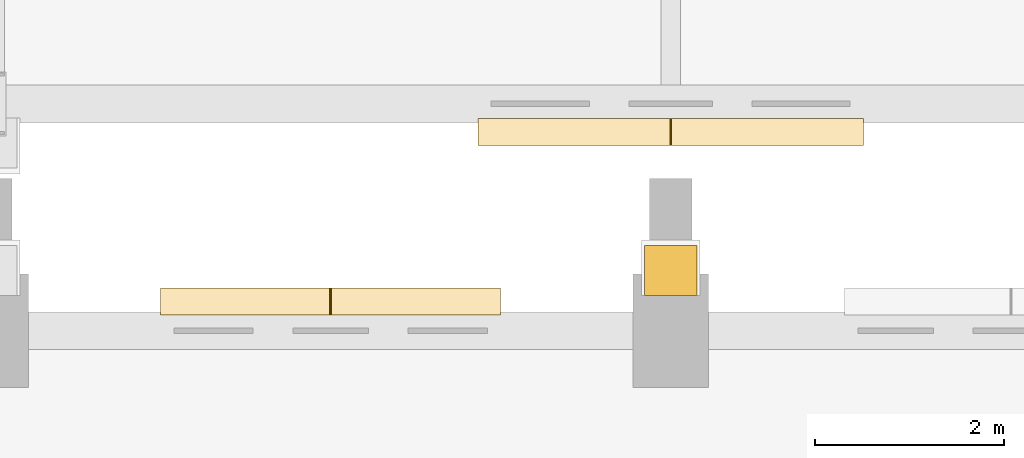
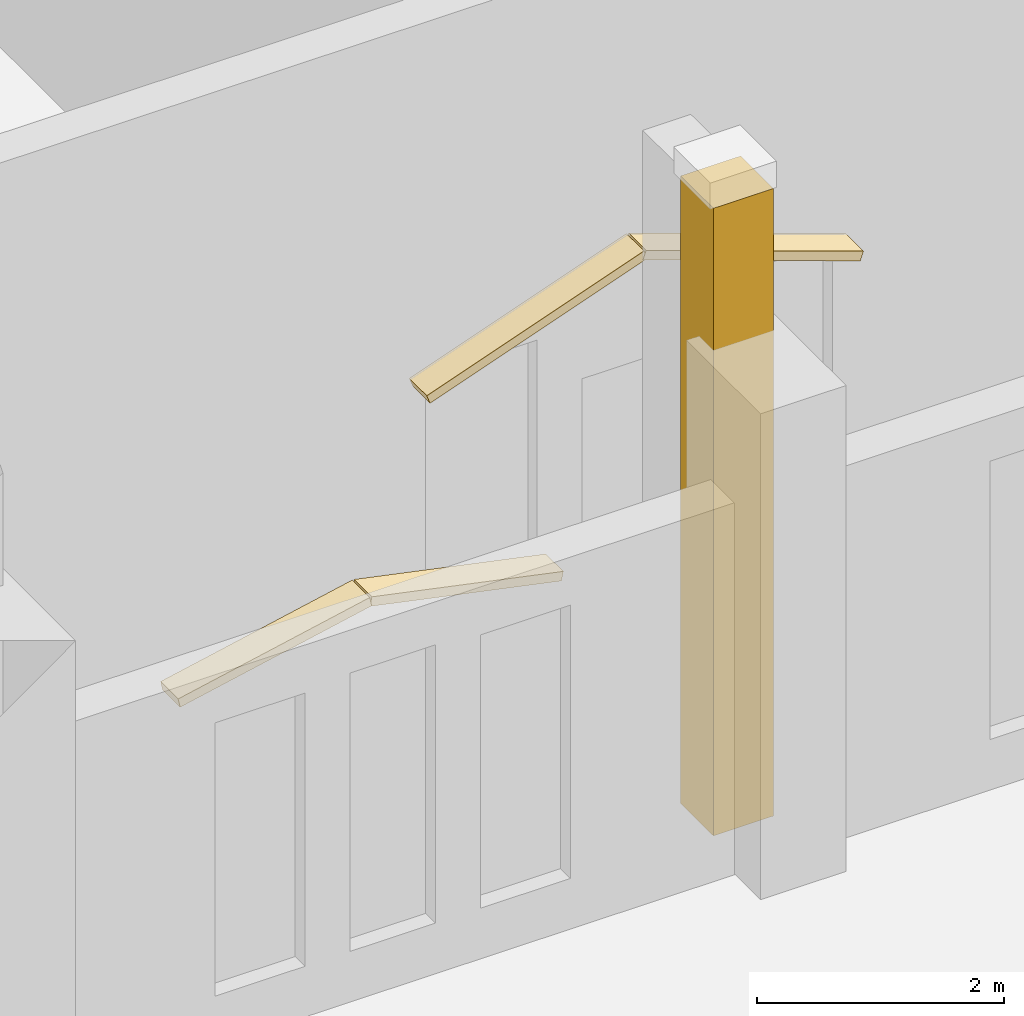
# One storey, part 188 of 193: 5 coverings.
"""IFC4 building model written with IfcOpenShell, lengths in metres."""

import ifcopenshell
import ifcopenshell.guid

model = None  # the IFC model being written
_history = None  # IfcOwnerHistory: only IFC2X3 demands one
_inside = {}  # id of a spatial element -> (the spatial element, [elements in it])
_under = {}  # id of a project, library or spatial element -> (it, [spatial elements below it])
_declared = {}  # id of a project -> (the project, [libraries it declares])
_typed = {}  # id of a type object -> (the type object, [elements of that type])
_made_of = {}  # id of a material, layer set ... -> (it, [elements and type objects made of it])


def new_model(schema):
    """Start an empty IFC model of exactly this schema.

    Asked for "IFC4X3", IfcOpenShell would pick the latest addendum, in which some entities
    have other attributes; the version numbers below select the first issue.
    IFC2X3 requires an IfcOwnerHistory on every rooted entity: one is made here for all.
    """
    global model, _history
    if schema == "IFC4X3":
        model = ifcopenshell.file(schema_version=(4, 3, 0, 0))
    else:
        model = ifcopenshell.file(schema=schema)
    _inside.clear()
    _under.clear()
    _declared.clear()
    _typed.clear()
    _made_of.clear()
    _history = None
    if model.schema == "IFC2X3":
        org = make("IfcOrganization", Name="unknown")
        user = make(
            "IfcPersonAndOrganization",
            ThePerson=make("IfcPerson", FamilyName="unknown"),
            TheOrganization=org,
        )
        app = make(
            "IfcApplication",
            ApplicationDeveloper=org,
            Version="unknown",
            ApplicationFullName="unknown",
            ApplicationIdentifier="unknown",
        )
        _history = make(
            "IfcOwnerHistory",
            OwningUser=user,
            OwningApplication=app,
            ChangeAction="ADDED",
            CreationDate=0,
        )
    return model


def make(cls, **values):
    """One entity of the class cls with the attributes given. An attribute that is None is left unset."""
    return model.create_entity(
        cls, **{name: value for name, value in values.items() if value is not None}
    )


def rooted(cls, **values):
    """An entity with a GlobalId (a new one), such as an element, a storey or a relation."""
    return make(cls, GlobalId=ifcopenshell.guid.new(), OwnerHistory=_history, **values)


def si_unit(unit_type, name, prefix=None):
    """IfcSIUnit, for example si_unit("LENGTHUNIT", "METRE", prefix="MILLI")."""
    return make("IfcSIUnit", UnitType=unit_type, Prefix=prefix, Name=name)


def assignment(units):
    """IfcUnitAssignment: the units of a project."""
    return None if units is None else make("IfcUnitAssignment", Units=units)


def point(xyz):
    """IfcCartesianPoint."""
    return None if xyz is None else make("IfcCartesianPoint", Coordinates=xyz)


def direction(xyz):
    """IfcDirection."""
    return None if xyz is None else make("IfcDirection", DirectionRatios=xyz)


def frame(location, z_axis=None, x_axis=None):
    """IfcAxis2Placement3D, a coordinate frame: its origin and axes. An axis left out is left unset."""
    return make(
        "IfcAxis2Placement3D",
        Location=point(location),
        Axis=direction(z_axis),
        RefDirection=direction(x_axis),
    )


def origin():
    """The frame at (0, 0, 0) with its axes left unset."""
    return frame((0.0, 0.0, 0.0))


def place(relative_to, where):
    """IfcLocalPlacement: puts the frame where relative to a parent placement (None: the world)."""
    return make(
        "IfcLocalPlacement", PlacementRelTo=relative_to, RelativePlacement=where
    )


def context(
    kind, dimensions, precision=None, world=None, true_north=None, identifier=None
):
    """IfcGeometricRepresentationContext, for example the 3D "Model" context."""
    return make(
        "IfcGeometricRepresentationContext",
        ContextIdentifier=identifier,
        ContextType=kind,
        CoordinateSpaceDimension=dimensions,
        Precision=precision,
        WorldCoordinateSystem=world,
        TrueNorth=true_north,
    )


def subcontext(parent, identifier, kind, view, scale=None):
    """IfcGeometricRepresentationSubContext, for example "Body" below "Model"."""
    return make(
        "IfcGeometricRepresentationSubContext",
        ContextIdentifier=identifier,
        ContextType=kind,
        ParentContext=parent,
        TargetScale=scale,
        TargetView=view,
    )


def project(units=None, contexts=None):
    """IfcProject with its units and contexts."""
    return rooted(
        "IfcProject",
        Name="project",
        RepresentationContexts=contexts,
        UnitsInContext=assignment(units),
    )


def spatial(cls, under=None, at=None, **own):
    """A site, building, storey or space (cls), placed at a placement, below another one or the project."""
    s = rooted(cls, ObjectPlacement=at, **own)
    if under is not None:
        _under.setdefault(under.id(), (under, []))[1].append(s)
    return s


def polyline(points):
    """IfcPolyline through the points."""
    return make("IfcPolyline", Points=[point(p) for p in points])


def outline(outer, holes=None, kind="AREA"):
    """IfcArbitraryClosedProfileDef: a profile drawn as a closed curve; with holes, ...WithVoids."""
    if holes is None:
        return make("IfcArbitraryClosedProfileDef", ProfileType=kind, OuterCurve=outer)
    return make(
        "IfcArbitraryProfileDefWithVoids",
        ProfileType=kind,
        OuterCurve=outer,
        InnerCurves=holes,
    )


def extrude(swept, where, along, depth):
    """IfcExtrudedAreaSolid: the profile swept, set in the frame where, extruded along a direction by depth."""
    return make(
        "IfcExtrudedAreaSolid",
        SweptArea=swept,
        Position=where,
        ExtrudedDirection=direction(along),
        Depth=depth,
    )


def shape(context_of_items, identifier, shape_type, items):
    """IfcShapeRepresentation: the items that make up one representation, for example the "Body"."""
    return make(
        "IfcShapeRepresentation",
        ContextOfItems=context_of_items,
        RepresentationIdentifier=identifier,
        RepresentationType=shape_type,
        Items=items,
    )


def material(Name=None, Category=None):
    """IfcMaterial."""
    return make("IfcMaterial", Name=Name, Category=Category)


def layer(
    of_material, thickness, ventilated=None, Name=None, Category=None, Priority=None
):
    """IfcMaterialLayer: one layer of a wall or slab, of a material (None: an air gap)."""
    return make(
        "IfcMaterialLayer",
        Material=of_material,
        LayerThickness=thickness,
        IsVentilated=ventilated,
        Name=Name,
        Category=Category,
        Priority=Priority,
    )


def layer_set(layers, Name=None):
    """IfcMaterialLayerSet."""
    return make("IfcMaterialLayerSet", MaterialLayers=layers, LayerSetName=Name)


def made_of(thing, what):
    """Note that an element or type object is made of a material, layer set ...; save() writes the relation."""
    if what is not None:
        _made_of.setdefault(what.id(), (what, []))[1].append(thing)
    return thing


def type_object(cls, material=None, **own):
    """A type object (cls), such as IfcWallType, which elements share."""
    return made_of(rooted(cls, **own), material)


def element(
    cls,
    number,
    at=None,
    inside=None,
    cuts=None,
    type_object=None,
    material=None,
    context=None,
    identifier="Body",
    shape_type=None,
    held_by="IfcProductDefinitionShape",
    body=None,
    shapes=None,
    **own,
):
    """One element of the class cls, such as IfcWall. Its Tag is "e" and its number.

    at: its placement. inside: the storey or other place that contains it. cuts: it is an
    opening in that element (IfcRelVoidsElement). A single representation is given by context,
    identifier, shape_type and body (its items); several are given by shapes. held_by: the class
    of the entity that holds the representations. save() writes the other relations.
    """
    e = rooted(cls, Tag="e%d" % number, ObjectPlacement=at, **own)
    if body is not None:
        shapes = [shape(context, identifier, shape_type, body)]
    if shapes is not None:
        e.Representation = make(held_by, Representations=shapes)
    if inside is not None:
        _inside.setdefault(inside.id(), (inside, []))[1].append(e)
    if cuts is not None:
        rooted(
            "IfcRelVoidsElement", RelatingBuildingElement=cuts, RelatedOpeningElement=e
        )
    if type_object is not None:
        _typed.setdefault(type_object.id(), (type_object, []))[1].append(e)
    return made_of(e, material)


def aggregate(whole, parts):
    """IfcRelAggregates: a whole, such as a stair, and the parts it consists of."""
    return rooted("IfcRelAggregates", RelatingObject=whole, RelatedObjects=parts)


def save(model, path):
    """Write the relations noted so far, then the file.

    IfcRelAggregates (storeys below a building ...), IfcRelContainedInSpatialStructure (elements
    in a storey), IfcRelDefinesByType, IfcRelAssociatesMaterial and IfcRelDeclares: one each for
    every whole, place, type object, material and project.
    """
    for whole, parts in _under.values():
        aggregate(whole, parts)
    for where, things in _inside.values():
        rooted(
            "IfcRelContainedInSpatialStructure",
            RelatedElements=things,
            RelatingStructure=where,
        )
    for kind, things in _typed.values():
        rooted("IfcRelDefinesByType", RelatedObjects=things, RelatingType=kind)
    for what, things in _made_of.values():
        rooted("IfcRelAssociatesMaterial", RelatedObjects=things, RelatingMaterial=what)
    for by, libraries in _declared.values():
        rooted("IfcRelDeclares", RelatingContext=by, RelatedDefinitions=libraries)
    model.write(path)


model = new_model("IFC4")

# Units and contexts
model_context = context("Model", 3, precision=1e-05, world=origin(), true_north=direction((0.0, 1.0)))
body_context = subcontext(model_context, "Body", "Model", "MODEL_VIEW")
ifc_project = project(units=[si_unit("LENGTHUNIT", "METRE"), si_unit("AREAUNIT", "SQUARE_METRE"), si_unit("VOLUMEUNIT", "CUBIC_METRE"), si_unit("PLANEANGLEUNIT", "RADIAN"), si_unit("MASSUNIT", "GRAM", prefix="KILO")], contexts=[model_context])

# Site, building, storey
site_placement = place(None, origin())
site = spatial("IfcSite", under=ifc_project, at=site_placement, CompositionType="ELEMENT")
building_placement = place(site_placement, origin())
building = spatial("IfcBuilding", under=site, at=building_placement, Name="Cendralis Lancet Convention Centre", CompositionType="ELEMENT")
storey_placement = place(building_placement, frame((0.0, 0.0, 10.199951171875)))
storey = spatial("IfcBuildingStorey", under=building, at=storey_placement, Name="L02", CompositionType="ELEMENT", Elevation=10.199951171875)

# Coverings
ifc_material = material(Name="Warm buff sandstone chevron cassette", Category="masonry")
ifc_layer = layer(ifc_material, 0.06005859375, Name="Warm buff sandstone chevron cassette")
ifc_layer_set = layer_set([ifc_layer], Name="Warm buff sandstone chevron cassette")
covering_type = type_object("IfcCoveringType", Name="ARC-CV-CLAD1", PredefinedType="CLADDING", material=ifc_layer_set)
for number, where, z_axis, x_axis, name in (
    (1, (184.199951171875, 91.64990234375, 3.27001953125), (-0.205041599325, 0.0, 0.978753259277), (0.0, -1.0, 0.0), "L02 Gothic Pointed Lancet Hood-Mould #0159L"),
    (2, (186.010009765625, 91.64990234375, 3.64501953125), (0.205041599325, 0.0, 0.978753259277), (0.0, -1.0, 0.0), "L02 Gothic Pointed Lancet Hood-Mould #0160R"),
):
    element("IfcCovering", number, at=place(storey_placement, frame(where, z_axis=z_axis, x_axis=x_axis)), inside=storey, type_object=covering_type, Name=name, PredefinedType="CLADDING", context=body_context, shape_type="SweptSolid", body=[
        extrude(outline(polyline([(0.0, 0.0), (0.284912109375, 0.0), (0.284912109375, 1.8288971664027145), (0.0, 1.8288971664027145), (0.0, 0.0)])), origin(), (0.0, 0.0, -1.0), 0.090087890625),
    ])
covering_1_placement = place(storey_placement, origin())
element("IfcCovering", 3, at=covering_1_placement, inside=storey, type_object=covering_type, Name="Gothic Stepped Stone Buttress Shaft #0046", PredefinedType="CLADDING", context=body_context, shape_type="SweptSolid", body=[
    extrude(outline(polyline([(189.8798828125, 92.10009765625), (189.320068359375, 92.10009765625), (189.320068359375, 91.570068359375), (189.8798828125, 91.570068359375), (189.8798828125, 92.10009765625)])), origin(), (0.0, 0.0, 1.0), 6.199951171875),
])
covering_2_placement = place(storey_placement, frame((191.639892578125, 93.159912109375, 4.0), z_axis=(0.334296169271, 0.0, 0.942468074372), x_axis=(0.0, 1.0, 0.0)))
element("IfcCovering", 4, at=covering_2_placement, inside=storey, type_object=covering_type, Name="L02 Gothic Pointed Lancet Hood-Mould #0215L", PredefinedType="CLADDING", context=body_context, shape_type="SweptSolid", body=[
    extrude(outline(polyline([(0.0, 0.0), (0.28515625, 0.0), (0.28515625, 2.1536911556421323), (0.0, 2.1536911556421323), (0.0, 0.0)])), origin(), (0.0, 0.0, -1.0), 0.090087890625),
])
covering_3_placement = place(storey_placement, frame((189.590087890625, 93.159912109375, 4.719970703125), z_axis=(-0.334260457516, 0.0, 0.942480740674), x_axis=(0.0, 1.0, 0.0)))
element("IfcCovering", 5, at=covering_3_placement, inside=storey, type_object=covering_type, Name="L02 Gothic Pointed Lancet Hood-Mould #0216R", PredefinedType="CLADDING", context=body_context, shape_type="SweptSolid", body=[
    extrude(outline(polyline([(0.0, 0.0), (0.28515625, 0.0), (0.28515625, 2.153921251933114), (0.0, 2.153921251933114), (0.0, 0.0)])), origin(), (0.0, 0.0, -1.0), 0.090087890625),
])

save(model, "model.ifc")
